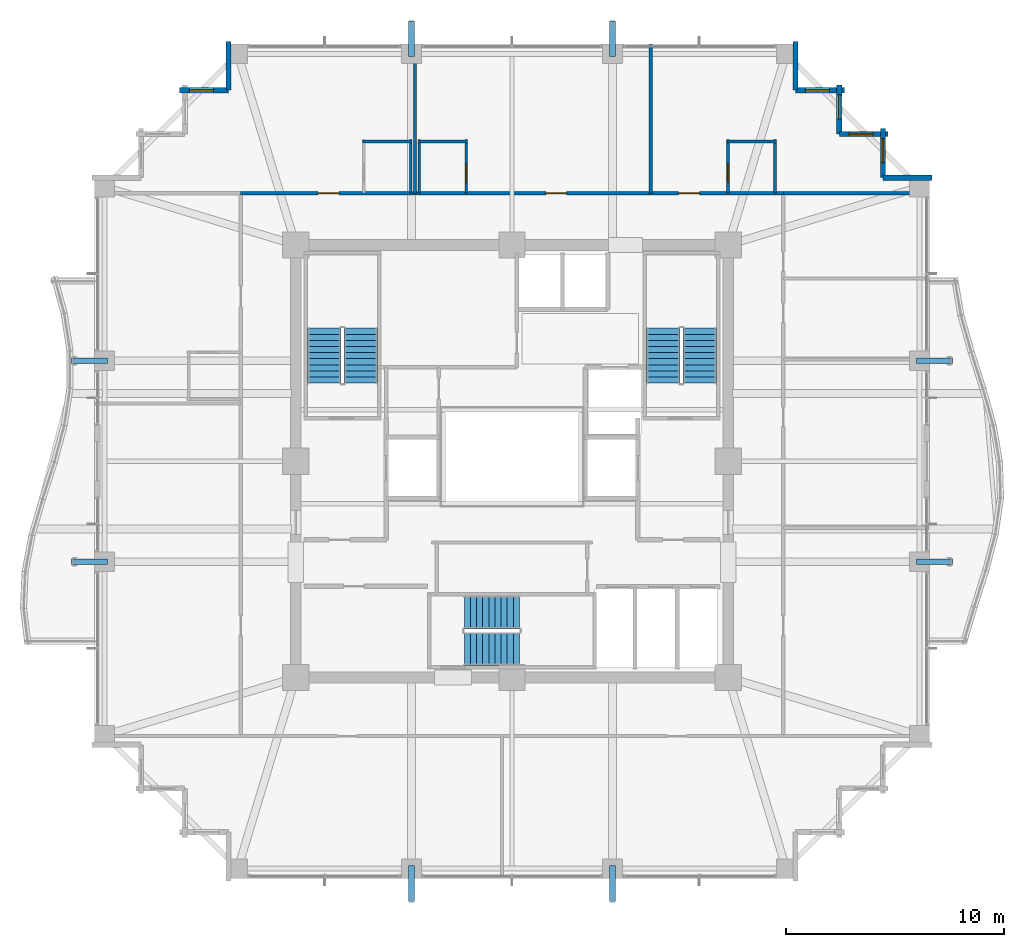
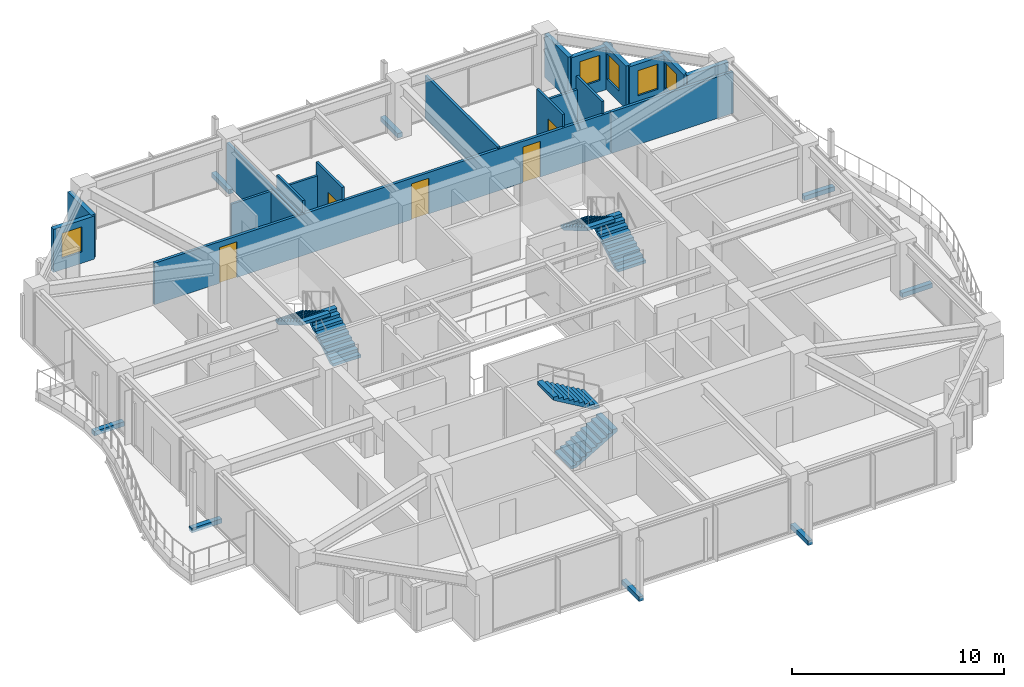
# One storey, part 33 of 35: 20 walls, 8 discrete accessories, 6 stair flights, 5 doors, 5 windows, 10 openings, 3 elements without a shape of their own.
"""IFC4 building model written with IfcOpenShell, lengths in metres."""

from ifc_helpers import new_model, si_unit, direction, frame, frame_2d, origin, origin_2d, place, context, subcontext, project, spatial, polyline, rectangle, outline, extrude, material, layer, layer_set, type_object, element, fill, aggregate, save


model = new_model("IFC4")

# Units and contexts
model_context = context("Model", 3, precision=1e-05, world=origin(), true_north=direction((0.0, 1.0)))
body_context = subcontext(model_context, "Body", "Model", "MODEL_VIEW")
ifc_project = project(units=[si_unit("LENGTHUNIT", "METRE"), si_unit("AREAUNIT", "SQUARE_METRE"), si_unit("VOLUMEUNIT", "CUBIC_METRE"), si_unit("PLANEANGLEUNIT", "RADIAN"), si_unit("MASSUNIT", "GRAM", prefix="KILO")], contexts=[model_context])

# Site, building, storey
site_placement = place(None, origin())
site = spatial("IfcSite", under=ifc_project, at=site_placement, CompositionType="ELEMENT")
building_placement = place(site_placement, origin())
building = spatial("IfcBuilding", under=site, at=building_placement, Name="Kolvaren Belvedere", CompositionType="ELEMENT")
storey_placement = place(building_placement, frame((0.0, 0.0, 163.5)))
storey = spatial("IfcBuildingStorey", under=building, at=storey_placement, Name="L47", CompositionType="ELEMENT", Elevation=163.5)

# Wall, openings, doors
ifc_material_1 = material(Name="Gypsum fire-rated partition assembly", Category="gypsum")
ifc_layer_1 = layer(ifc_material_1, 0.14990234375)
ifc_layer_set_1 = layer_set([ifc_layer_1], Name="Gypsum fire-rated partition assembly")
wall_type_1 = type_object("IfcWallType", Name="WL-CORR-150", PredefinedType="PARTITIONING", material=ifc_layer_set_1)
wall_1_placement = place(storey_placement, frame((-12.419921875, 12.260009765625, 0.0), z_axis=(0.0, 0.0, 1.0), x_axis=(1.0, 0.0, 0.0)))
wall_1 = element("IfcWall", 1, at=wall_1_placement, inside=storey, type_object=wall_type_1, Name="L47 North Corridor Wall", PredefinedType="PARTITIONING", context=body_context, shape_type="SweptSolid", body=[
    extrude(rectangle(XDim=24.83984375, YDim=0.14990234375, at=frame_2d((12.419921875, 0.0))), origin(), (0.0, 0.0, 1.0), 2.388916015625),
])
opening_1_placement = place(wall_1_placement, frame((3.54052734375, 0.0, 0.0)))
opening_1 = element("IfcOpeningElement", 2, at=opening_1_placement, cuts=wall_1, Name="Opening D-FD60", PredefinedType="OPENING", context=body_context, shape_type="SweptSolid", body=[
    extrude(rectangle(XDim=0.949951171875, YDim=2.06005859375, at=frame_2d((0.47509765625, 1.030029296875))), frame((0.0, 0.0849609375, 0.0), z_axis=(0.0, -1.0, 0.0), x_axis=(1.0, 0.0, 0.0)), (0.0, 0.0, 1.0), 0.169921875),
])
opening_2_placement = place(wall_1_placement, frame((13.97509765625, 0.0, 0.0)))
opening_2 = element("IfcOpeningElement", 3, at=opening_2_placement, cuts=wall_1, Name="Opening D-FD60", PredefinedType="OPENING", context=body_context, shape_type="SweptSolid", body=[
    extrude(rectangle(XDim=0.949951171875, YDim=2.06005859375, at=frame_2d((0.47509765625, 1.030029296875))), frame((0.0, 0.0849609375, 0.0), z_axis=(0.0, -1.0, 0.0), x_axis=(1.0, 0.0, 0.0)), (0.0, 0.0, 1.0), 0.169921875),
])
opening_3_placement = place(wall_1_placement, frame((20.0498046875, 0.0, 0.0)))
opening_3 = element("IfcOpeningElement", 4, at=opening_3_placement, cuts=wall_1, Name="Opening D-FD60", PredefinedType="OPENING", context=body_context, shape_type="SweptSolid", body=[
    extrude(rectangle(XDim=0.949951171875, YDim=2.06005859375, at=frame_2d((0.47509765625, 1.030029296875))), frame((0.0, 0.0849609375, 0.0), z_axis=(0.0, -1.0, 0.0), x_axis=(1.0, 0.0, 0.0)), (0.0, 0.0, 1.0), 0.169921875),
])
ifc_material_2 = material(Name="Acoustic white-oak fire door leaf", Category="timber")
door_type_1 = type_object("IfcDoorType", Name="DR-FD60-950", OperationType="NOTDEFINED", PredefinedType="DOOR", material=ifc_material_2)
door_1_placement = place(opening_1_placement, origin())
door_1 = element("IfcDoor", 5, at=door_1_placement, inside=storey, type_object=door_type_1, Name="L47 Twin Guest Room 4709 Entry Door", OperationType="SINGLE_SWING_LEFT", OverallHeight=2.06005859375, OverallWidth=0.949951171875, PredefinedType="DOOR", context=body_context, shape_type="SweptSolid", body=[
    extrude(rectangle(XDim=0.949951171875, YDim=2.06005859375, at=frame_2d((0.47509765625, 1.030029296875))), frame((0.0, 0.02490234375, 0.0), z_axis=(0.0, -1.0, 0.0), x_axis=(1.0, 0.0, 0.0)), (0.0, 0.0, 1.0), 0.050048828125),
])
fill(opening_1, door_1)
door_2_placement = place(opening_2_placement, origin())
door_2 = element("IfcDoor", 6, at=door_2_placement, inside=storey, type_object=door_type_1, Name="L47 Deluxe King Guest Room 4710 Entry Door", OperationType="SINGLE_SWING_LEFT", OverallHeight=2.06005859375, OverallWidth=0.949951171875, PredefinedType="DOOR", context=body_context, shape_type="SweptSolid", body=[
    extrude(rectangle(XDim=0.949951171875, YDim=2.06005859375, at=frame_2d((0.47509765625, 1.030029296875))), frame((0.0, 0.02490234375, 0.0), z_axis=(0.0, -1.0, 0.0), x_axis=(1.0, 0.0, 0.0)), (0.0, 0.0, 1.0), 0.050048828125),
])
fill(opening_2, door_2)
door_3_placement = place(opening_3_placement, origin())
door_3 = element("IfcDoor", 7, at=door_3_placement, inside=storey, type_object=door_type_1, Name="L47 Twin Guest Room 4711 Entry Door", OperationType="SINGLE_SWING_LEFT", OverallHeight=2.06005859375, OverallWidth=0.949951171875, PredefinedType="DOOR", context=body_context, shape_type="SweptSolid", body=[
    extrude(rectangle(XDim=0.949951171875, YDim=2.06005859375, at=frame_2d((0.47509765625, 1.030029296875))), frame((0.0, 0.02490234375, 0.0), z_axis=(0.0, -1.0, 0.0), x_axis=(1.0, 0.0, 0.0)), (0.0, 0.0, 1.0), 0.050048828125),
])
fill(opening_3, door_3)

# Wall
ifc_material_3 = material(Name="Insulated pale-metal facade wall assembly", Category="aluminium")
ifc_layer_2 = layer(ifc_material_3, 0.239990234375)
ifc_layer_set_2 = layer_set([ifc_layer_2], Name="Insulated pale-metal facade wall assembly")
wall_type_2 = type_object("IfcWallType", Name="WL-EXT-240", PredefinedType="STANDARD", material=ifc_layer_set_2)
wall_2_placement = place(storey_placement, frame((16.97998046875, 12.97998046875, 0.0), z_axis=(0.0, 0.0, 1.0), x_axis=(1.0, 0.0, 0.0)))
element("IfcWall", 8, at=wall_2_placement, inside=storey, type_object=wall_type_2, Name="L47 Serrated Corner Facade Wall 9", PredefinedType="STANDARD", context=body_context, shape_type="SweptSolid", body=[
    extrude(rectangle(XDim=2.239990234375, YDim=0.239990234375, at=frame_2d((1.1201171875, 0.0))), origin(), (0.0, 0.0, 1.0), 2.48291015625),
])

# Wall, opening, window
wall_3_placement = place(storey_placement, frame((16.97998046875, 15.219970703125, 0.0), z_axis=(0.0, 0.0, 1.0), x_axis=(0.0, -1.0, 0.0)))
wall_3 = element("IfcWall", 9, at=wall_3_placement, inside=storey, type_object=wall_type_2, Name="L47 Serrated Corner Facade Wall 10", PredefinedType="STANDARD", context=body_context, shape_type="SweptSolid", body=[
    extrude(rectangle(XDim=2.239990234375, YDim=0.239990234375, at=frame_2d((1.1201171875, 0.0))), origin(), (0.0, 0.0, 1.0), 2.48291015625),
])
opening_4_placement = place(wall_3_placement, frame((0.449951171875, 0.0, 0.64990234375)))
opening_4 = element("IfcOpeningElement", 10, at=opening_4_placement, cuts=wall_3, Name="Opening W-1100", PredefinedType="OPENING", context=body_context, shape_type="SweptSolid", body=[
    extrude(rectangle(XDim=1.10009765625, YDim=1.449951171875, at=frame_2d((0.550048828125, 0.72509765625))), frame((0.0, 0.1298828125, 0.0), z_axis=(0.0, -1.0, 0.0), x_axis=(1.0, 0.0, 0.0)), (0.0, 0.0, 1.0), 0.260009765625),
])
ifc_material_4 = material(Name="Low-iron triple insulated glass", Category="glass")
window_type = type_object("IfcWindowType", Name="WN-CORN-1100", PartitioningType="SINGLE_PANEL", PredefinedType="WINDOW", material=ifc_material_4)
window_1_placement = place(opening_4_placement, origin())
window_1 = element("IfcWindow", 11, at=window_1_placement, inside=storey, type_object=window_type, Name="L47 Serrated Corner Vision Window 10", OverallHeight=1.449951171875, OverallWidth=1.10009765625, PartitioningType="SINGLE_PANEL", PredefinedType="WINDOW", context=body_context, shape_type="SweptSolid", body=[
    extrude(rectangle(XDim=1.10009765625, YDim=1.449951171875, at=frame_2d((0.550048828125, 0.72509765625))), frame((0.0, 0.030029296875, 0.0), z_axis=(0.0, -1.0, 0.0), x_axis=(1.0, 0.0, 0.0)), (0.0, 0.0, 1.0), 0.06005859375),
])
fill(opening_4, window_1)

wall_4_placement = place(storey_placement, frame((14.97998046875, 14.97998046875, 0.0), z_axis=(0.0, 0.0, 1.0), x_axis=(1.0, 0.0, 0.0)))
wall_4 = element("IfcWall", 12, at=wall_4_placement, inside=storey, type_object=wall_type_2, Name="L47 Serrated Corner Facade Wall 11", PredefinedType="STANDARD", context=body_context, shape_type="SweptSolid", body=[
    extrude(rectangle(XDim=2.239990234375, YDim=0.239990234375, at=frame_2d((1.1201171875, 0.0))), origin(), (0.0, 0.0, 1.0), 2.48291015625),
])
opening_5_placement = place(wall_4_placement, frame((0.449951171875, 0.0, 0.64990234375)))
opening_5 = element("IfcOpeningElement", 13, at=opening_5_placement, cuts=wall_4, Name="Opening W-1100", PredefinedType="OPENING", context=body_context, shape_type="SweptSolid", body=[
    extrude(rectangle(XDim=1.10009765625, YDim=1.449951171875, at=frame_2d((0.550048828125, 0.72509765625))), frame((0.0, 0.1298828125, 0.0), z_axis=(0.0, -1.0, 0.0), x_axis=(1.0, 0.0, 0.0)), (0.0, 0.0, 1.0), 0.260009765625),
])
window_2_placement = place(opening_5_placement, origin())
window_2 = element("IfcWindow", 14, at=window_2_placement, inside=storey, type_object=window_type, Name="L47 Serrated Corner Vision Window 11", OverallHeight=1.449951171875, OverallWidth=1.10009765625, PartitioningType="SINGLE_PANEL", PredefinedType="WINDOW", context=body_context, shape_type="SweptSolid", body=[
    extrude(rectangle(XDim=1.10009765625, YDim=1.449951171875, at=frame_2d((0.550048828125, 0.72509765625))), frame((0.0, 0.030029296875, 0.0), z_axis=(0.0, -1.0, 0.0), x_axis=(1.0, 0.0, 0.0)), (0.0, 0.0, 1.0), 0.06005859375),
])
fill(opening_5, window_2)

wall_5_placement = place(storey_placement, frame((14.97998046875, 17.219970703125, 0.0), z_axis=(0.0, 0.0, 1.0), x_axis=(0.0, -1.0, 0.0)))
wall_5 = element("IfcWall", 15, at=wall_5_placement, inside=storey, type_object=wall_type_2, Name="L47 Serrated Corner Facade Wall 12", PredefinedType="STANDARD", context=body_context, shape_type="SweptSolid", body=[
    extrude(rectangle(XDim=2.239990234375, YDim=0.239990234375, at=frame_2d((1.1201171875, 0.0))), origin(), (0.0, 0.0, 1.0), 2.48291015625),
])
opening_6_placement = place(wall_5_placement, frame((0.449951171875, 0.0, 0.64990234375)))
opening_6 = element("IfcOpeningElement", 16, at=opening_6_placement, cuts=wall_5, Name="Opening W-1100", PredefinedType="OPENING", context=body_context, shape_type="SweptSolid", body=[
    extrude(rectangle(XDim=1.10009765625, YDim=1.449951171875, at=frame_2d((0.550048828125, 0.72509765625))), frame((0.0, 0.1298828125, 0.0), z_axis=(0.0, -1.0, 0.0), x_axis=(1.0, 0.0, 0.0)), (0.0, 0.0, 1.0), 0.260009765625),
])
window_3_placement = place(opening_6_placement, origin())
window_3 = element("IfcWindow", 17, at=window_3_placement, inside=storey, type_object=window_type, Name="L47 Serrated Corner Vision Window 12", OverallHeight=1.449951171875, OverallWidth=1.10009765625, PartitioningType="SINGLE_PANEL", PredefinedType="WINDOW", context=body_context, shape_type="SweptSolid", body=[
    extrude(rectangle(XDim=1.10009765625, YDim=1.449951171875, at=frame_2d((0.550048828125, 0.72509765625))), frame((0.0, 0.030029296875, 0.0), z_axis=(0.0, -1.0, 0.0), x_axis=(1.0, 0.0, 0.0)), (0.0, 0.0, 1.0), 0.06005859375),
])
fill(opening_6, window_3)

wall_6_placement = place(storey_placement, frame((12.97998046875, 16.97998046875, 0.0), z_axis=(0.0, 0.0, 1.0), x_axis=(1.0, 0.0, 0.0)))
wall_6 = element("IfcWall", 18, at=wall_6_placement, inside=storey, type_object=wall_type_2, Name="L47 Serrated Corner Facade Wall 13", PredefinedType="STANDARD", context=body_context, shape_type="SweptSolid", body=[
    extrude(rectangle(XDim=2.239990234375, YDim=0.239990234375, at=frame_2d((1.1201171875, 0.0))), origin(), (0.0, 0.0, 1.0), 2.48291015625),
])
opening_7_placement = place(wall_6_placement, frame((0.449951171875, 0.0, 0.64990234375)))
opening_7 = element("IfcOpeningElement", 19, at=opening_7_placement, cuts=wall_6, Name="Opening W-1100", PredefinedType="OPENING", context=body_context, shape_type="SweptSolid", body=[
    extrude(rectangle(XDim=1.10009765625, YDim=1.449951171875, at=frame_2d((0.550048828125, 0.72509765625))), frame((0.0, 0.1298828125, 0.0), z_axis=(0.0, -1.0, 0.0), x_axis=(1.0, 0.0, 0.0)), (0.0, 0.0, 1.0), 0.260009765625),
])
window_4_placement = place(opening_7_placement, origin())
window_4 = element("IfcWindow", 20, at=window_4_placement, inside=storey, type_object=window_type, Name="L47 Serrated Corner Vision Window 13", OverallHeight=1.449951171875, OverallWidth=1.10009765625, PartitioningType="SINGLE_PANEL", PredefinedType="WINDOW", context=body_context, shape_type="SweptSolid", body=[
    extrude(rectangle(XDim=1.10009765625, YDim=1.449951171875, at=frame_2d((0.550048828125, 0.72509765625))), frame((0.0, 0.030029296875, 0.0), z_axis=(0.0, -1.0, 0.0), x_axis=(1.0, 0.0, 0.0)), (0.0, 0.0, 1.0), 0.06005859375),
])
fill(opening_7, window_4)

# Walls
for number, where, z_axis, x_axis, name in (
    (21, (12.97998046875, 19.219970703125, 0.0), (0.0, 0.0, 1.0), (0.0, -1.0, 0.0), "L47 Serrated Corner Facade Wall 14"),
    (22, (-12.97998046875, 16.97998046875, 0.0), (0.0, 0.0, 1.0), (0.0, 1.0, 0.0), "L47 Serrated Corner Facade Wall 16"),
):
    element("IfcWall", number, at=place(storey_placement, frame(where, z_axis=z_axis, x_axis=x_axis)), inside=storey, type_object=wall_type_2, Name=name, PredefinedType="STANDARD", context=body_context, shape_type="SweptSolid", body=[
        extrude(rectangle(XDim=2.239990234375, YDim=0.239990234375, at=frame_2d((1.1201171875, 0.0))), origin(), (0.0, 0.0, 1.0), 2.48291015625),
    ])

# Wall, opening, window
wall_7_placement = place(storey_placement, frame((-15.219970703125, 16.97998046875, 0.0), z_axis=(0.0, 0.0, 1.0), x_axis=(1.0, 0.0, 0.0)))
wall_7 = element("IfcWall", 23, at=wall_7_placement, inside=storey, type_object=wall_type_2, Name="L47 Serrated Corner Facade Wall 17", PredefinedType="STANDARD", context=body_context, shape_type="SweptSolid", body=[
    extrude(rectangle(XDim=2.239990234375, YDim=0.239990234375, at=frame_2d((1.1201171875, 0.0))), origin(), (0.0, 0.0, 1.0), 2.48291015625),
])
opening_8_placement = place(wall_7_placement, frame((0.449951171875, 0.0, 0.64990234375)))
opening_8 = element("IfcOpeningElement", 24, at=opening_8_placement, cuts=wall_7, Name="Opening W-1100", PredefinedType="OPENING", context=body_context, shape_type="SweptSolid", body=[
    extrude(rectangle(XDim=1.10009765625, YDim=1.449951171875, at=frame_2d((0.550048828125, 0.72509765625))), frame((0.0, 0.1298828125, 0.0), z_axis=(0.0, -1.0, 0.0), x_axis=(1.0, 0.0, 0.0)), (0.0, 0.0, 1.0), 0.260009765625),
])
window_5_placement = place(opening_8_placement, origin())
window_5 = element("IfcWindow", 25, at=window_5_placement, inside=storey, type_object=window_type, Name="L47 Serrated Corner Vision Window 17", OverallHeight=1.449951171875, OverallWidth=1.10009765625, PartitioningType="SINGLE_PANEL", PredefinedType="WINDOW", context=body_context, shape_type="SweptSolid", body=[
    extrude(rectangle(XDim=1.10009765625, YDim=1.449951171875, at=frame_2d((0.550048828125, 0.72509765625))), frame((0.0, 0.030029296875, 0.0), z_axis=(0.0, -1.0, 0.0), x_axis=(1.0, 0.0, 0.0)), (0.0, 0.0, 1.0), 0.06005859375),
])
fill(opening_8, window_5)

# Walls
ifc_material_5 = material(Name="Gypsum acoustic partition assembly", Category="gypsum")
ifc_layer_3 = layer(ifc_material_5, 0.14990234375)
ifc_layer_set_3 = layer_set([ifc_layer_3], Name="Gypsum acoustic partition assembly")
wall_type_3 = type_object("IfcWallType", Name="WL-PART-150", PredefinedType="PARTITIONING", material=ifc_layer_set_3)
wall_8_placement = place(storey_placement, frame((12.419921875, 12.260009765625, 0.0), z_axis=(0.0, 0.0, 1.0), x_axis=(1.0, 0.0, 0.0)))
element("IfcWall", 26, at=wall_8_placement, inside=storey, type_object=wall_type_3, Name="L47 Wing Divider PW-L47-QNE", PredefinedType="PARTITIONING", context=body_context, shape_type="SweptSolid", body=[
    extrude(rectangle(XDim=6.66015625, YDim=0.14990234375, at=frame_2d((3.330078125, 0.0))), origin(), (0.0, 0.0, 1.0), 2.388916015625),
])
wall_9_placement = place(storey_placement, frame((-4.444091796875, 12.260009765625, 0.0), z_axis=(0.0, 0.0, 1.0), x_axis=(0.0, 1.0, 0.0)))
element("IfcWall", 27, at=wall_9_placement, inside=storey, type_object=wall_type_3, Name="L47 North Suite Demising Wall 1", PredefinedType="PARTITIONING", context=body_context, shape_type="SweptSolid", body=[
    extrude(rectangle(XDim=6.820068359375, YDim=0.14990234375, at=frame_2d((3.41015625, 0.0))), origin(), (0.0, 0.0, 1.0), 2.388916015625),
])
wall_10_placement = place(storey_placement, frame((6.35595703125, 12.260009765625, 0.0), z_axis=(0.0, 0.0, 1.0), x_axis=(0.0, 1.0, 0.0)))
element("IfcWall", 28, at=wall_10_placement, inside=storey, type_object=wall_type_3, Name="L47 North Suite Demising Wall 2", PredefinedType="PARTITIONING", context=body_context, shape_type="SweptSolid", body=[
    extrude(rectangle(XDim=6.820068359375, YDim=0.14990234375, at=frame_2d((3.41015625, 0.0))), origin(), (0.0, 0.0, 1.0), 2.472900390625),
])
ifc_material_6 = material(Name="Moisture-resistant gypsum partition", Category="gypsum")
ifc_layer_4 = layer(ifc_material_6, 0.125)
ifc_layer_set_4 = layer_set([ifc_layer_4], Name="Moisture-resistant gypsum partition")
wall_type_4 = type_object("IfcWallType", Name="WL-WET-125", PredefinedType="PARTITIONING", material=ifc_layer_set_4)
wall_11_placement = place(storey_placement, frame((-6.84912109375, 14.635009765625, 0.0), z_axis=(0.0, 0.0, 1.0), x_axis=(1.0, 0.0, 0.0)))
element("IfcWall", 29, at=wall_11_placement, inside=storey, type_object=wall_type_4, Name="L47 Bathroom Partition PW-L47-BTH-9-H", PredefinedType="PARTITIONING", context=body_context, shape_type="SweptSolid", body=[
    extrude(rectangle(XDim=2.27001953125, YDim=0.125, at=frame_2d((1.135009765625, 0.0))), origin(), (0.0, 0.0, 1.0), 2.388916015625),
])
wall_12_placement = place(storey_placement, frame((-4.638916015625, 12.27490234375, 0.0), z_axis=(0.0, 0.0, 1.0), x_axis=(0.0, 1.0, 0.0)))
element("IfcWall", 30, at=wall_12_placement, inside=storey, type_object=wall_type_4, Name="L47 Bathroom Partition PW-L47-BTH-9-W", PredefinedType="PARTITIONING", context=body_context, shape_type="SweptSolid", body=[
    extrude(rectangle(XDim=2.440185546875, YDim=0.125, at=frame_2d((1.22021484375, 0.0))), origin(), (0.0, 0.0, 1.0), 2.388916015625),
])

# Wall, opening, door
wall_13_placement = place(storey_placement, frame((-2.09912109375, 12.27490234375, 0.0), z_axis=(0.0, 0.0, 1.0), x_axis=(0.0, 1.0, 0.0)))
wall_13 = element("IfcWall", 31, at=wall_13_placement, inside=storey, type_object=wall_type_4, Name="L47 Bathroom Partition PW-L47-BTH-10-E", PredefinedType="PARTITIONING", context=body_context, shape_type="SweptSolid", body=[
    extrude(rectangle(XDim=2.440185546875, YDim=0.125, at=frame_2d((1.22021484375, 0.0))), origin(), (0.0, 0.0, 1.0), 3.10009765625),
])
opening_9_placement = place(wall_13_placement, frame((0.5, 0.0, 0.0)))
opening_9 = element("IfcOpeningElement", 32, at=opening_9_placement, cuts=wall_13, Name="Opening D-BTH85", PredefinedType="OPENING", context=body_context, shape_type="SweptSolid", body=[
    extrude(rectangle(XDim=0.85009765625, YDim=2.030029296875, at=frame_2d((0.425048828125, 1.01513671875))), frame((0.0, 0.072509765625, 0.0), z_axis=(0.0, -1.0, 0.0), x_axis=(1.0, 0.0, 0.0)), (0.0, 0.0, 1.0), 0.14501953125),
])
ifc_material_7 = material(Name="Moisture-sealed Pacific white oak", Category="timber")
door_type_2 = type_object("IfcDoorType", Name="DR-BATH-850", OperationType="NOTDEFINED", PredefinedType="DOOR", material=ifc_material_7)
door_4_placement = place(opening_9_placement, origin())
door_4 = element("IfcDoor", 33, at=door_4_placement, inside=storey, type_object=door_type_2, Name="L47 En-Suite Bathroom 4710 Door", OperationType="SINGLE_SWING_RIGHT", OverallHeight=2.030029296875, OverallWidth=0.85009765625, PredefinedType="DOOR", context=body_context, shape_type="SweptSolid", body=[
    extrude(rectangle(XDim=0.85009765625, YDim=2.030029296875, at=frame_2d((0.425048828125, 1.01513671875))), frame((0.0, 0.02490234375, 0.0), z_axis=(0.0, -1.0, 0.0), x_axis=(1.0, 0.0, 0.0)), (0.0, 0.0, 1.0), 0.050048828125),
])
fill(opening_9, door_4)

# Walls
wall_14_placement = place(storey_placement, frame((-4.30908203125, 14.635009765625, 0.0), z_axis=(0.0, 0.0, 1.0), x_axis=(1.0, 0.0, 0.0)))
element("IfcWall", 34, at=wall_14_placement, inside=storey, type_object=wall_type_4, Name="L47 Bathroom Partition PW-L47-BTH-10-H", PredefinedType="PARTITIONING", context=body_context, shape_type="SweptSolid", body=[
    extrude(rectangle(XDim=2.27001953125, YDim=0.125, at=frame_2d((1.135009765625, 0.0))), origin(), (0.0, 0.0, 1.0), 2.388916015625),
])
wall_15_placement = place(storey_placement, frame((-4.2490234375, 12.27490234375, 0.0), z_axis=(0.0, 0.0, 1.0), x_axis=(0.0, 1.0, 0.0)))
element("IfcWall", 35, at=wall_15_placement, inside=storey, type_object=wall_type_4, Name="L47 Bathroom Partition PW-L47-BTH-10-W", PredefinedType="PARTITIONING", context=body_context, shape_type="SweptSolid", body=[
    extrude(rectangle(XDim=2.440185546875, YDim=0.125, at=frame_2d((1.22021484375, 0.0))), origin(), (0.0, 0.0, 1.0), 3.10009765625),
])

# Wall, opening, door
wall_16_placement = place(storey_placement, frame((9.89111328125, 12.27490234375, 0.0), z_axis=(0.0, 0.0, 1.0), x_axis=(0.0, 1.0, 0.0)))
wall_16 = element("IfcWall", 36, at=wall_16_placement, inside=storey, type_object=wall_type_4, Name="L47 Bathroom Partition PW-L47-BTH-11-E", PredefinedType="PARTITIONING", context=body_context, shape_type="SweptSolid", body=[
    extrude(rectangle(XDim=2.440185546875, YDim=0.125, at=frame_2d((1.22021484375, 0.0))), origin(), (0.0, 0.0, 1.0), 3.10009765625),
])
opening_10_placement = place(wall_16_placement, frame((0.5, 0.0, 0.0)))
opening_10 = element("IfcOpeningElement", 37, at=opening_10_placement, cuts=wall_16, Name="Opening D-BTH85", PredefinedType="OPENING", context=body_context, shape_type="SweptSolid", body=[
    extrude(rectangle(XDim=0.85009765625, YDim=2.030029296875, at=frame_2d((0.425048828125, 1.01513671875))), frame((0.0, 0.072509765625, 0.0), z_axis=(0.0, -1.0, 0.0), x_axis=(1.0, 0.0, 0.0)), (0.0, 0.0, 1.0), 0.14501953125),
])
door_5_placement = place(opening_10_placement, origin())
door_5 = element("IfcDoor", 38, at=door_5_placement, inside=storey, type_object=door_type_2, Name="L47 En-Suite Bathroom 4711 Door", OperationType="SINGLE_SWING_RIGHT", OverallHeight=2.030029296875, OverallWidth=0.85009765625, PredefinedType="DOOR", context=body_context, shape_type="SweptSolid", body=[
    extrude(rectangle(XDim=0.85009765625, YDim=2.030029296875, at=frame_2d((0.425048828125, 1.01513671875))), frame((0.0, 0.02490234375, 0.0), z_axis=(0.0, -1.0, 0.0), x_axis=(1.0, 0.0, 0.0)), (0.0, 0.0, 1.0), 0.050048828125),
])
fill(opening_10, door_5)

# Walls
wall_17_placement = place(storey_placement, frame((9.8310546875, 14.635009765625, 0.0), z_axis=(0.0, 0.0, 1.0), x_axis=(1.0, 0.0, 0.0)))
element("IfcWall", 39, at=wall_17_placement, inside=storey, type_object=wall_type_4, Name="L47 Bathroom Partition PW-L47-BTH-11-H", PredefinedType="PARTITIONING", context=body_context, shape_type="SweptSolid", body=[
    extrude(rectangle(XDim=2.27001953125, YDim=0.125, at=frame_2d((1.135009765625, 0.0))), origin(), (0.0, 0.0, 1.0), 2.388916015625),
])
wall_18_placement = place(storey_placement, frame((12.041015625, 12.27490234375, 0.0), z_axis=(0.0, 0.0, 1.0), x_axis=(0.0, 1.0, 0.0)))
element("IfcWall", 40, at=wall_18_placement, inside=storey, type_object=wall_type_4, Name="L47 Bathroom Partition PW-L47-BTH-11-W", PredefinedType="PARTITIONING", context=body_context, shape_type="SweptSolid", body=[
    extrude(rectangle(XDim=2.440185546875, YDim=0.125, at=frame_2d((1.22021484375, 0.0))), origin(), (0.0, 0.0, 1.0), 3.10009765625),
])

# Stair, stair flights
ifc_material_8 = material(Name="Concrete C50/60", Category="concrete")
stair_type = type_object("IfcStairType", Name="ST-CORE-1520", PredefinedType="HALF_TURN_STAIR", material=ifc_material_8)
stair_1_placement = place(storey_placement, origin())
stair_1 = element("IfcStair", 41, at=stair_1_placement, inside=storey, type_object=stair_type, Name="L47 Protected Exit Stair ST-1", PredefinedType="HALF_TURN_STAIR")
ifc_material_9 = material(Name="Concrete C50/60", Category="concrete")
stair_flight_type = type_object("IfcStairFlightType", Name="SF-STR-1520", PredefinedType="STRAIGHT", material=ifc_material_9)
stair_flight_1_placement = place(storey_placement, frame((-6.919921875, 3.570068359375, 0.0), z_axis=(0.0, 0.0, 1.0), x_axis=(0.0, 1.0, 0.0)))
stair_flight_1 = element("IfcStairFlight", 42, at=stair_flight_1_placement, type_object=stair_flight_type, Name="ST-1 flight 1", NumberOfRisers=10, NumberOfTreads=9, PredefinedType="STRAIGHT", RiserHeight=0.165, TreadLength=0.28, context=body_context, shape_type="SweptSolid", body=[
    extrude(outline(polyline([(0.0, 0.0), (0.0, 0.1650390625), (0.280029296875, 0.1650390625), (0.280029296875, 0.330078125), (0.56005859375, 0.330078125), (0.56005859375, 0.4951171875), (0.840087890625, 0.4951171875), (0.840087890625, 0.659912109375), (1.1201171875, 0.659912109375), (1.1201171875, 0.824951171875), (1.39990234375, 0.824951171875), (1.39990234375, 0.989990234375), (1.679931640625, 0.989990234375), (1.679931640625, 1.155029296875), (1.9599609375, 1.155029296875), (1.9599609375, 1.320068359375), (2.239990234375, 1.320068359375), (2.239990234375, 1.485107421875), (2.52001953125, 1.485107421875), (2.52001953125, 1.64990234375), (2.52001953125, 1.31103515625), (0.295166015625, 0.0), (0.0, 0.0)])), frame((0.0, 0.760009765625, 0.0), z_axis=(0.0, -1.0, 0.0), x_axis=(1.0, 0.0, 0.0)), (0.0, 0.0, 1.0), 1.52001953125),
])
stair_flight_2_placement = place(storey_placement, frame((-8.590087890625, 6.090087890625, 1.64990234375), z_axis=(0.0, 0.0, 1.0), x_axis=(0.0, -1.0, 0.0)))
stair_flight_2 = element("IfcStairFlight", 43, at=stair_flight_2_placement, type_object=stair_flight_type, Name="ST-1 flight 2", NumberOfRisers=10, NumberOfTreads=9, PredefinedType="STRAIGHT", RiserHeight=0.165, TreadLength=0.28, context=body_context, shape_type="SweptSolid", body=[
    extrude(outline(polyline([(0.0, 0.0), (0.0, 0.1650390625), (0.280029296875, 0.1650390625), (0.280029296875, 0.330078125), (0.56005859375, 0.330078125), (0.56005859375, 0.4951171875), (0.840087890625, 0.4951171875), (0.840087890625, 0.659912109375), (1.1201171875, 0.659912109375), (1.1201171875, 0.824951171875), (1.39990234375, 0.824951171875), (1.39990234375, 0.989990234375), (1.679931640625, 0.989990234375), (1.679931640625, 1.155029296875), (1.9599609375, 1.155029296875), (1.9599609375, 1.320068359375), (2.239990234375, 1.320068359375), (2.239990234375, 1.485107421875), (2.52001953125, 1.485107421875), (2.52001953125, 1.64990234375), (2.52001953125, 1.31103515625), (0.295166015625, 0.0), (0.0, 0.0)])), frame((0.0, 0.760009765625, 0.0), z_axis=(0.0, -1.0, 0.0), x_axis=(1.0, 0.0, 0.0)), (0.0, 0.0, 1.0), 1.52001953125),
])
aggregate(stair_1, [stair_flight_1, stair_flight_2])

stair_2_placement = place(storey_placement, origin())
stair_2 = element("IfcStair", 44, at=stair_2_placement, inside=storey, type_object=stair_type, Name="L47 Protected Exit Stair ST-2", PredefinedType="HALF_TURN_STAIR")
stair_flight_3_placement = place(storey_placement, frame((8.590087890625, 3.570068359375, 0.0), z_axis=(0.0, 0.0, 1.0), x_axis=(0.0, 1.0, 0.0)))
stair_flight_3 = element("IfcStairFlight", 45, at=stair_flight_3_placement, type_object=stair_flight_type, Name="ST-2 flight 1", NumberOfRisers=10, NumberOfTreads=9, PredefinedType="STRAIGHT", RiserHeight=0.165, TreadLength=0.28, context=body_context, shape_type="SweptSolid", body=[
    extrude(outline(polyline([(0.0, 0.0), (0.0, 0.1650390625), (0.280029296875, 0.1650390625), (0.280029296875, 0.330078125), (0.56005859375, 0.330078125), (0.56005859375, 0.4951171875), (0.840087890625, 0.4951171875), (0.840087890625, 0.659912109375), (1.1201171875, 0.659912109375), (1.1201171875, 0.824951171875), (1.39990234375, 0.824951171875), (1.39990234375, 0.989990234375), (1.679931640625, 0.989990234375), (1.679931640625, 1.155029296875), (1.9599609375, 1.155029296875), (1.9599609375, 1.320068359375), (2.239990234375, 1.320068359375), (2.239990234375, 1.485107421875), (2.52001953125, 1.485107421875), (2.52001953125, 1.64990234375), (2.52001953125, 1.31103515625), (0.295166015625, 0.0), (0.0, 0.0)])), frame((0.0, 0.760009765625, 0.0), z_axis=(0.0, -1.0, 0.0), x_axis=(1.0, 0.0, 0.0)), (0.0, 0.0, 1.0), 1.52001953125),
])
stair_flight_4_placement = place(storey_placement, frame((6.919921875, 6.090087890625, 1.64990234375), z_axis=(0.0, 0.0, 1.0), x_axis=(0.0, -1.0, 0.0)))
stair_flight_4 = element("IfcStairFlight", 46, at=stair_flight_4_placement, type_object=stair_flight_type, Name="ST-2 flight 2", NumberOfRisers=10, NumberOfTreads=9, PredefinedType="STRAIGHT", RiserHeight=0.165, TreadLength=0.28, context=body_context, shape_type="SweptSolid", body=[
    extrude(outline(polyline([(0.0, 0.0), (0.0, 0.1650390625), (0.280029296875, 0.1650390625), (0.280029296875, 0.330078125), (0.56005859375, 0.330078125), (0.56005859375, 0.4951171875), (0.840087890625, 0.4951171875), (0.840087890625, 0.659912109375), (1.1201171875, 0.659912109375), (1.1201171875, 0.824951171875), (1.39990234375, 0.824951171875), (1.39990234375, 0.989990234375), (1.679931640625, 0.989990234375), (1.679931640625, 1.155029296875), (1.9599609375, 1.155029296875), (1.9599609375, 1.320068359375), (2.239990234375, 1.320068359375), (2.239990234375, 1.485107421875), (2.52001953125, 1.485107421875), (2.52001953125, 1.64990234375), (2.52001953125, 1.31103515625), (0.295166015625, 0.0), (0.0, 0.0)])), frame((0.0, 0.760009765625, 0.0), z_axis=(0.0, -1.0, 0.0), x_axis=(1.0, 0.0, 0.0)), (0.0, 0.0, 1.0), 1.52001953125),
])
aggregate(stair_2, [stair_flight_3, stair_flight_4])

stair_3_placement = place(storey_placement, origin())
stair_3 = element("IfcStair", 47, at=stair_3_placement, inside=storey, type_object=stair_type, Name="L47 Protected Exit Stair ST-3", PredefinedType="HALF_TURN_STAIR")
stair_flight_5_placement = place(storey_placement, frame((-2.179931640625, -8.590087890625, 0.0), z_axis=(0.0, 0.0, 1.0), x_axis=(1.0, 0.0, 0.0)))
stair_flight_5 = element("IfcStairFlight", 48, at=stair_flight_5_placement, type_object=stair_flight_type, Name="ST-3 flight 1", NumberOfRisers=10, NumberOfTreads=9, PredefinedType="STRAIGHT", RiserHeight=0.165, TreadLength=0.28, context=body_context, shape_type="SweptSolid", body=[
    extrude(outline(polyline([(0.0, 0.0), (0.0, 0.1650390625), (0.280029296875, 0.1650390625), (0.280029296875, 0.330078125), (0.56005859375, 0.330078125), (0.56005859375, 0.4951171875), (0.840087890625, 0.4951171875), (0.840087890625, 0.659912109375), (1.1201171875, 0.659912109375), (1.1201171875, 0.824951171875), (1.39990234375, 0.824951171875), (1.39990234375, 0.989990234375), (1.679931640625, 0.989990234375), (1.679931640625, 1.155029296875), (1.9599609375, 1.155029296875), (1.9599609375, 1.320068359375), (2.239990234375, 1.320068359375), (2.239990234375, 1.485107421875), (2.52001953125, 1.485107421875), (2.52001953125, 1.64990234375), (2.52001953125, 1.31103515625), (0.295166015625, 0.0), (0.0, 0.0)])), frame((0.0, 0.760009765625, 0.0), z_axis=(0.0, -1.0, 0.0), x_axis=(1.0, 0.0, 0.0)), (0.0, 0.0, 1.0), 1.52001953125),
])
stair_flight_6_placement = place(storey_placement, frame((0.340087890625, -6.919921875, 1.64990234375), z_axis=(0.0, 0.0, 1.0), x_axis=(-1.0, 0.0, 0.0)))
stair_flight_6 = element("IfcStairFlight", 49, at=stair_flight_6_placement, type_object=stair_flight_type, Name="ST-3 flight 2", NumberOfRisers=10, NumberOfTreads=9, PredefinedType="STRAIGHT", RiserHeight=0.165, TreadLength=0.28, context=body_context, shape_type="SweptSolid", body=[
    extrude(outline(polyline([(0.0, 0.0), (0.0, 0.1650390625), (0.280029296875, 0.1650390625), (0.280029296875, 0.330078125), (0.56005859375, 0.330078125), (0.56005859375, 0.4951171875), (0.840087890625, 0.4951171875), (0.840087890625, 0.659912109375), (1.1201171875, 0.659912109375), (1.1201171875, 0.824951171875), (1.39990234375, 0.824951171875), (1.39990234375, 0.989990234375), (1.679931640625, 0.989990234375), (1.679931640625, 1.155029296875), (1.9599609375, 1.155029296875), (1.9599609375, 1.320068359375), (2.239990234375, 1.320068359375), (2.239990234375, 1.485107421875), (2.52001953125, 1.485107421875), (2.52001953125, 1.64990234375), (2.52001953125, 1.31103515625), (0.295166015625, 0.0), (0.0, 0.0)])), frame((0.0, 0.760009765625, 0.0), z_axis=(0.0, -1.0, 0.0), x_axis=(1.0, 0.0, 0.0)), (0.0, 0.0, 1.0), 1.52001953125),
])
aggregate(stair_3, [stair_flight_5, stair_flight_6])

# Discrete accessories
ifc_material_10 = material(Name="Structural steel ASTM A572 Grade 50", Category="steel")
discrete_accessory_type = type_object("IfcDiscreteAccessoryType", Name="BRK-1 Steel Facade Support Bracket", PredefinedType="BRACKET", material=ifc_material_10)
for number, where, z_axis, x_axis, name in (
    (50, (-4.60009765625, 19.3349609375, -0.169921875), (0.0, 0.0, 1.0), (0.0, 1.0, 0.0), "L47 Picture-Frame Outrigger Cleat Bracket N1"),
    (51, (4.60009765625, 19.3349609375, -0.169921875), (0.0, 0.0, 1.0), (0.0, 1.0, 0.0), "L47 Picture-Frame Outrigger Cleat Bracket N2"),
    (52, (4.60009765625, -19.3349609375, -0.169921875), (0.0, 0.0, 1.0), (0.0, 1.0, 0.0), "L47 Picture-Frame Outrigger Cleat Bracket S1"),
    (53, (-4.60009765625, -19.3349609375, -0.169921875), (0.0, 0.0, 1.0), (0.0, 1.0, 0.0), "L47 Picture-Frame Outrigger Cleat Bracket S2"),
    (54, (19.3349609375, 4.60009765625, -0.169921875), (0.0, 0.0, 1.0), (1.0, 0.0, 0.0), "L47 Picture-Frame Outrigger Cleat Bracket E1"),
    (55, (19.3349609375, -4.60009765625, -0.169921875), (0.0, 0.0, 1.0), (1.0, 0.0, 0.0), "L47 Picture-Frame Outrigger Cleat Bracket E2"),
    (56, (-19.3349609375, -4.60009765625, -0.169921875), (0.0, 0.0, 1.0), (1.0, 0.0, 0.0), "L47 Picture-Frame Outrigger Cleat Bracket W1"),
    (57, (-19.3349609375, 4.60009765625, -0.169921875), (0.0, 0.0, 1.0), (1.0, 0.0, 0.0), "L47 Picture-Frame Outrigger Cleat Bracket W2"),
):
    element("IfcDiscreteAccessory", number, at=place(storey_placement, frame(where, z_axis=z_axis, x_axis=x_axis)), inside=storey, type_object=discrete_accessory_type, Name=name, PredefinedType="BRACKET", context=body_context, shape_type="SweptSolid", body=[
        extrude(rectangle(XDim=1.639892578125, YDim=0.260009765625, at=origin_2d()), origin(), (0.0, 0.0, 1.0), 0.260009765625),
    ])

save(model, "model.ifc")
